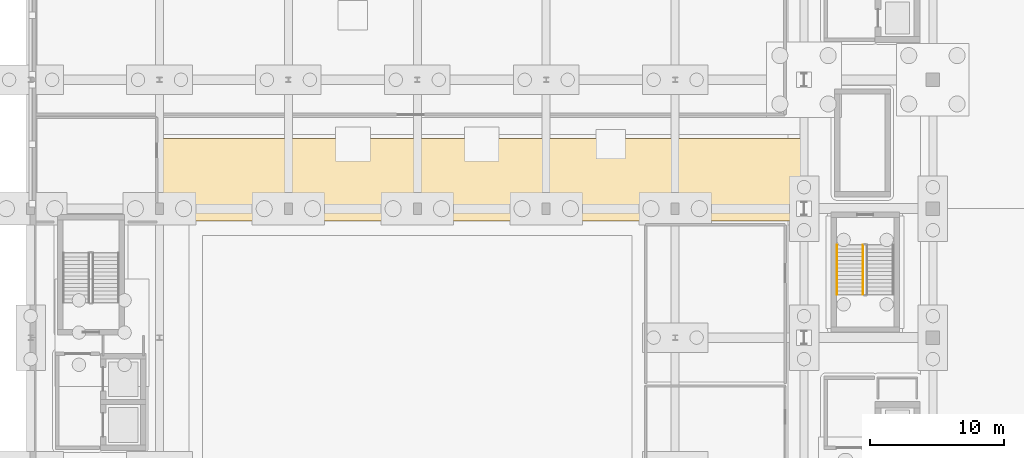
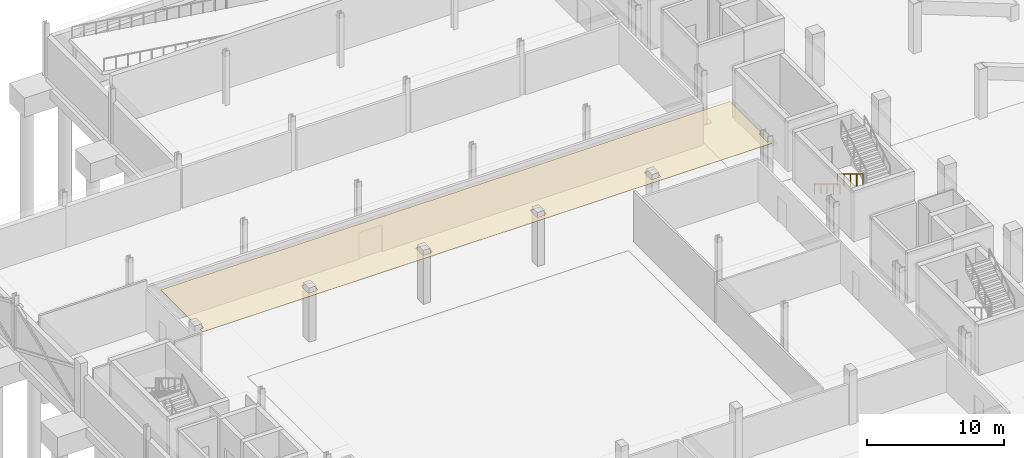
# One storey, part 48 of 67: 2 railings, 1 covering.
"""IFC4 building model written with IfcOpenShell, lengths in metres."""

import ifcopenshell
import ifcopenshell.guid

model = None  # the IFC model being written
_history = None  # IfcOwnerHistory: only IFC2X3 demands one
_inside = {}  # id of a spatial element -> (the spatial element, [elements in it])
_under = {}  # id of a project, library or spatial element -> (it, [spatial elements below it])
_declared = {}  # id of a project -> (the project, [libraries it declares])
_typed = {}  # id of a type object -> (the type object, [elements of that type])
_made_of = {}  # id of a material, layer set ... -> (it, [elements and type objects made of it])


def new_model(schema):
    """Start an empty IFC model of exactly this schema.

    Asked for "IFC4X3", IfcOpenShell would pick the latest addendum, in which some entities
    have other attributes; the version numbers below select the first issue.
    IFC2X3 requires an IfcOwnerHistory on every rooted entity: one is made here for all.
    """
    global model, _history
    if schema == "IFC4X3":
        model = ifcopenshell.file(schema_version=(4, 3, 0, 0))
    else:
        model = ifcopenshell.file(schema=schema)
    _inside.clear()
    _under.clear()
    _declared.clear()
    _typed.clear()
    _made_of.clear()
    _history = None
    if model.schema == "IFC2X3":
        org = make("IfcOrganization", Name="unknown")
        user = make(
            "IfcPersonAndOrganization",
            ThePerson=make("IfcPerson", FamilyName="unknown"),
            TheOrganization=org,
        )
        app = make(
            "IfcApplication",
            ApplicationDeveloper=org,
            Version="unknown",
            ApplicationFullName="unknown",
            ApplicationIdentifier="unknown",
        )
        _history = make(
            "IfcOwnerHistory",
            OwningUser=user,
            OwningApplication=app,
            ChangeAction="ADDED",
            CreationDate=0,
        )
    return model


def make(cls, **values):
    """One entity of the class cls with the attributes given. An attribute that is None is left unset."""
    return model.create_entity(
        cls, **{name: value for name, value in values.items() if value is not None}
    )


def rooted(cls, **values):
    """An entity with a GlobalId (a new one), such as an element, a storey or a relation."""
    return make(cls, GlobalId=ifcopenshell.guid.new(), OwnerHistory=_history, **values)


def si_unit(unit_type, name, prefix=None):
    """IfcSIUnit, for example si_unit("LENGTHUNIT", "METRE", prefix="MILLI")."""
    return make("IfcSIUnit", UnitType=unit_type, Prefix=prefix, Name=name)


def assignment(units):
    """IfcUnitAssignment: the units of a project."""
    return None if units is None else make("IfcUnitAssignment", Units=units)


def point(xyz):
    """IfcCartesianPoint."""
    return None if xyz is None else make("IfcCartesianPoint", Coordinates=xyz)


def direction(xyz):
    """IfcDirection."""
    return None if xyz is None else make("IfcDirection", DirectionRatios=xyz)


def frame(location, z_axis=None, x_axis=None):
    """IfcAxis2Placement3D, a coordinate frame: its origin and axes. An axis left out is left unset."""
    return make(
        "IfcAxis2Placement3D",
        Location=point(location),
        Axis=direction(z_axis),
        RefDirection=direction(x_axis),
    )


def frame_2d(location, x_axis=None):
    """IfcAxis2Placement2D, a coordinate frame in the plane: its origin and x axis."""
    return make(
        "IfcAxis2Placement2D", Location=point(location), RefDirection=direction(x_axis)
    )


def origin():
    """The frame at (0, 0, 0) with its axes left unset."""
    return frame((0.0, 0.0, 0.0))


def origin_2d():
    """The frame at (0, 0) in the plane with its x axis left unset."""
    return frame_2d((0.0, 0.0))


def place(relative_to, where):
    """IfcLocalPlacement: puts the frame where relative to a parent placement (None: the world)."""
    return make(
        "IfcLocalPlacement", PlacementRelTo=relative_to, RelativePlacement=where
    )


def context(
    kind, dimensions, precision=None, world=None, true_north=None, identifier=None
):
    """IfcGeometricRepresentationContext, for example the 3D "Model" context."""
    return make(
        "IfcGeometricRepresentationContext",
        ContextIdentifier=identifier,
        ContextType=kind,
        CoordinateSpaceDimension=dimensions,
        Precision=precision,
        WorldCoordinateSystem=world,
        TrueNorth=true_north,
    )


def subcontext(parent, identifier, kind, view, scale=None):
    """IfcGeometricRepresentationSubContext, for example "Body" below "Model"."""
    return make(
        "IfcGeometricRepresentationSubContext",
        ContextIdentifier=identifier,
        ContextType=kind,
        ParentContext=parent,
        TargetScale=scale,
        TargetView=view,
    )


def project(units=None, contexts=None):
    """IfcProject with its units and contexts."""
    return rooted(
        "IfcProject",
        Name="project",
        RepresentationContexts=contexts,
        UnitsInContext=assignment(units),
    )


def spatial(cls, under=None, at=None, **own):
    """A site, building, storey or space (cls), placed at a placement, below another one or the project."""
    s = rooted(cls, ObjectPlacement=at, **own)
    if under is not None:
        _under.setdefault(under.id(), (under, []))[1].append(s)
    return s


def polyline(points):
    """IfcPolyline through the points."""
    return make("IfcPolyline", Points=[point(p) for p in points])


def profile(cls, at=None, kind="AREA", **sizes):
    """A parametric profile (cls). Its sizes go by their IFC names, for example OverallWidth=200.0."""
    return make(cls, ProfileType=kind, Position=at, **sizes)


def circle(**sizes):
    """IfcCircleProfileDef."""
    return profile("IfcCircleProfileDef", **sizes)


def outline(outer, holes=None, kind="AREA"):
    """IfcArbitraryClosedProfileDef: a profile drawn as a closed curve; with holes, ...WithVoids."""
    if holes is None:
        return make("IfcArbitraryClosedProfileDef", ProfileType=kind, OuterCurve=outer)
    return make(
        "IfcArbitraryProfileDefWithVoids",
        ProfileType=kind,
        OuterCurve=outer,
        InnerCurves=holes,
    )


def extrude(swept, where, along, depth):
    """IfcExtrudedAreaSolid: the profile swept, set in the frame where, extruded along a direction by depth."""
    return make(
        "IfcExtrudedAreaSolid",
        SweptArea=swept,
        Position=where,
        ExtrudedDirection=direction(along),
        Depth=depth,
    )


def shape(context_of_items, identifier, shape_type, items):
    """IfcShapeRepresentation: the items that make up one representation, for example the "Body"."""
    return make(
        "IfcShapeRepresentation",
        ContextOfItems=context_of_items,
        RepresentationIdentifier=identifier,
        RepresentationType=shape_type,
        Items=items,
    )


def material(Name=None, Category=None):
    """IfcMaterial."""
    return make("IfcMaterial", Name=Name, Category=Category)


def layer(
    of_material, thickness, ventilated=None, Name=None, Category=None, Priority=None
):
    """IfcMaterialLayer: one layer of a wall or slab, of a material (None: an air gap)."""
    return make(
        "IfcMaterialLayer",
        Material=of_material,
        LayerThickness=thickness,
        IsVentilated=ventilated,
        Name=Name,
        Category=Category,
        Priority=Priority,
    )


def layer_set(layers, Name=None):
    """IfcMaterialLayerSet."""
    return make("IfcMaterialLayerSet", MaterialLayers=layers, LayerSetName=Name)


def made_of(thing, what):
    """Note that an element or type object is made of a material, layer set ...; save() writes the relation."""
    if what is not None:
        _made_of.setdefault(what.id(), (what, []))[1].append(thing)
    return thing


def type_object(cls, material=None, **own):
    """A type object (cls), such as IfcWallType, which elements share."""
    return made_of(rooted(cls, **own), material)


def element(
    cls,
    number,
    at=None,
    inside=None,
    cuts=None,
    type_object=None,
    material=None,
    context=None,
    identifier="Body",
    shape_type=None,
    held_by="IfcProductDefinitionShape",
    body=None,
    shapes=None,
    **own,
):
    """One element of the class cls, such as IfcWall. Its Tag is "e" and its number.

    at: its placement. inside: the storey or other place that contains it. cuts: it is an
    opening in that element (IfcRelVoidsElement). A single representation is given by context,
    identifier, shape_type and body (its items); several are given by shapes. held_by: the class
    of the entity that holds the representations. save() writes the other relations.
    """
    e = rooted(cls, Tag="e%d" % number, ObjectPlacement=at, **own)
    if body is not None:
        shapes = [shape(context, identifier, shape_type, body)]
    if shapes is not None:
        e.Representation = make(held_by, Representations=shapes)
    if inside is not None:
        _inside.setdefault(inside.id(), (inside, []))[1].append(e)
    if cuts is not None:
        rooted(
            "IfcRelVoidsElement", RelatingBuildingElement=cuts, RelatedOpeningElement=e
        )
    if type_object is not None:
        _typed.setdefault(type_object.id(), (type_object, []))[1].append(e)
    return made_of(e, material)


def aggregate(whole, parts):
    """IfcRelAggregates: a whole, such as a stair, and the parts it consists of."""
    return rooted("IfcRelAggregates", RelatingObject=whole, RelatedObjects=parts)


def save(model, path):
    """Write the relations noted so far, then the file.

    IfcRelAggregates (storeys below a building ...), IfcRelContainedInSpatialStructure (elements
    in a storey), IfcRelDefinesByType, IfcRelAssociatesMaterial and IfcRelDeclares: one each for
    every whole, place, type object, material and project.
    """
    for whole, parts in _under.values():
        aggregate(whole, parts)
    for where, things in _inside.values():
        rooted(
            "IfcRelContainedInSpatialStructure",
            RelatedElements=things,
            RelatingStructure=where,
        )
    for kind, things in _typed.values():
        rooted("IfcRelDefinesByType", RelatedObjects=things, RelatingType=kind)
    for what, things in _made_of.values():
        rooted("IfcRelAssociatesMaterial", RelatedObjects=things, RelatingMaterial=what)
    for by, libraries in _declared.values():
        rooted("IfcRelDeclares", RelatingContext=by, RelatedDefinitions=libraries)
    model.write(path)


model = new_model("IFC4")

# Units and contexts
model_context = context("Model", 3, precision=1e-05, world=origin(), true_north=direction((0.0, 1.0)))
body_context = subcontext(model_context, "Body", "Model", "MODEL_VIEW")
ifc_project = project(units=[si_unit("LENGTHUNIT", "METRE"), si_unit("AREAUNIT", "SQUARE_METRE"), si_unit("VOLUMEUNIT", "CUBIC_METRE"), si_unit("PLANEANGLEUNIT", "RADIAN"), si_unit("MASSUNIT", "GRAM", prefix="KILO")], contexts=[model_context])

# Site, building, storey
site_placement = place(None, origin())
site = spatial("IfcSite", under=ifc_project, at=site_placement, CompositionType="ELEMENT")
building_placement = place(site_placement, origin())
building = spatial("IfcBuilding", under=site, at=building_placement, Name="Caelomonte Colonnade Arena", CompositionType="ELEMENT")
storey_placement = place(building_placement, frame((0.0, 0.0, -4.800048828125)))
storey = spatial("IfcBuildingStorey", under=building, at=storey_placement, Name="B1", CompositionType="ELEMENT", Elevation=-4.800048828125)

# Covering
ifc_material_1 = material(Name="Perforated acoustic mineral-fibre ceiling")
ifc_layer = layer(ifc_material_1, 0.0400390625)
ifc_layer_set = layer_set([ifc_layer], Name="Perforated acoustic mineral-fibre ceiling")
covering_type = type_object("IfcCoveringType", Name="INT-CV-CEIL1", PredefinedType="CEILING", material=ifc_layer_set)
covering_placement = place(storey_placement, frame((0.0, 0.0, 4.420166015625)))
element("IfcCovering", 1, at=covering_placement, inside=storey, type_object=covering_type, Name="B1 Athlete Wing Concourse acoustic ceiling", PredefinedType="CEILING", context=body_context, shape_type="SweptSolid", body=[
    extrude(outline(polyline([(57.52001953125, 72.419921875), (9.679931640625, 72.419921875), (9.679931640625, 67.719970703125), (9.9150390625, 67.719970703125), (9.9228515625, 67.719482421875), (9.9306640625, 67.718505859375), (9.938232421875, 67.716552734375), (9.945556640625, 67.7138671875), (9.95263671875, 67.710693359375), (9.95947265625, 67.70654296875), (9.9658203125, 67.701904296875), (9.9716796875, 67.696533203125), (9.976806640625, 67.69091796875), (9.9814453125, 67.684326171875), (9.985595703125, 67.677734375), (9.989013671875, 67.670654296875), (9.99169921875, 67.6630859375), (9.993408203125, 67.655517578125), (9.99462890625, 67.647705078125), (9.9951171875, 67.639892578125), (9.9951171875, 66.760009765625), (9.99462890625, 66.752197265625), (9.993408203125, 66.744384765625), (9.99169921875, 66.73681640625), (9.989013671875, 66.7294921875), (9.985595703125, 66.722412109375), (9.9814453125, 66.715576171875), (9.976806640625, 66.709228515625), (9.9716796875, 66.703369140625), (9.9658203125, 66.6982421875), (9.95947265625, 66.693603515625), (9.95263671875, 66.689453125), (9.945556640625, 66.68603515625), (9.938232421875, 66.683349609375), (9.9306640625, 66.681396484375), (9.9228515625, 66.680419921875), (9.9150390625, 66.679931640625), (9.679931640625, 66.679931640625), (9.679931640625, 66.280029296875), (57.52001953125, 66.280029296875), (57.52001953125, 66.584228515625), (57.37158203125, 66.584228515625), (57.36376953125, 66.584716796875), (57.35595703125, 66.585693359375), (57.348388671875, 66.587646484375), (57.3408203125, 66.59033203125), (57.333740234375, 66.59375), (57.3271484375, 66.597900390625), (57.32080078125, 66.6025390625), (57.31494140625, 66.607666015625), (57.309814453125, 66.613525390625), (57.304931640625, 66.619873046875), (57.30078125, 66.626708984375), (57.297607421875, 66.6337890625), (57.294921875, 66.64111328125), (57.29296875, 66.648681640625), (57.2919921875, 66.656494140625), (57.29150390625, 66.664306640625), (57.29150390625, 67.735595703125), (57.2919921875, 67.743408203125), (57.29296875, 67.751220703125), (57.294921875, 67.7587890625), (57.297607421875, 67.766357421875), (57.30078125, 67.7734375), (57.304931640625, 67.780029296875), (57.309814453125, 67.78662109375), (57.31494140625, 67.792236328125), (57.32080078125, 67.797607421875), (57.3271484375, 67.80224609375), (57.333740234375, 67.806396484375), (57.3408203125, 67.8095703125), (57.348388671875, 67.812255859375), (57.35595703125, 67.814208984375), (57.36376953125, 67.815185546875), (57.37158203125, 67.815673828125), (57.52001953125, 67.815673828125), (57.52001953125, 72.419921875)]), holes=[polyline([(47.60546875, 66.752197265625), (47.60498046875, 66.760009765625), (47.60498046875, 67.639892578125), (47.60546875, 67.647705078125), (47.6064453125, 67.655517578125), (47.6083984375, 67.6630859375), (47.611083984375, 67.670654296875), (47.614501953125, 67.677734375), (47.618408203125, 67.684326171875), (47.623291015625, 67.69091796875), (47.62841796875, 67.696533203125), (47.63427734375, 67.701904296875), (47.640625, 67.70654296875), (47.647216796875, 67.710693359375), (47.654296875, 67.7138671875), (47.661865234375, 67.716552734375), (47.66943359375, 67.718505859375), (47.67724609375, 67.719482421875), (47.68505859375, 67.719970703125), (48.31494140625, 67.719970703125), (48.32275390625, 67.719482421875), (48.33056640625, 67.718505859375), (48.338134765625, 67.716552734375), (48.345703125, 67.7138671875), (48.352783203125, 67.710693359375), (48.359375, 67.70654296875), (48.36572265625, 67.701904296875), (48.37158203125, 67.696533203125), (48.376708984375, 67.69091796875), (48.381591796875, 67.684326171875), (48.385498046875, 67.677734375), (48.388916015625, 67.670654296875), (48.3916015625, 67.6630859375), (48.3935546875, 67.655517578125), (48.39453125, 67.647705078125), (48.39501953125, 67.639892578125), (48.39501953125, 66.760009765625), (48.39453125, 66.752197265625), (48.3935546875, 66.744384765625), (48.3916015625, 66.73681640625), (48.388916015625, 66.7294921875), (48.385498046875, 66.722412109375), (48.381591796875, 66.715576171875), (48.376708984375, 66.709228515625), (48.37158203125, 66.703369140625), (48.36572265625, 66.6982421875), (48.359375, 66.693603515625), (48.352783203125, 66.689453125), (48.345703125, 66.68603515625), (48.338134765625, 66.683349609375), (48.33056640625, 66.681396484375), (48.32275390625, 66.680419921875), (48.31494140625, 66.679931640625), (47.68505859375, 66.679931640625), (47.67724609375, 66.680419921875), (47.66943359375, 66.681396484375), (47.661865234375, 66.683349609375), (47.654296875, 66.68603515625), (47.647216796875, 66.689453125), (47.640625, 66.693603515625), (47.63427734375, 66.6982421875), (47.62841796875, 66.703369140625), (47.623291015625, 66.709228515625), (47.618408203125, 66.715576171875), (47.614501953125, 66.722412109375), (47.611083984375, 66.7294921875), (47.6083984375, 66.73681640625), (47.6064453125, 66.744384765625), (47.60546875, 66.752197265625)]), polyline([(38.00537109375, 66.752197265625), (38.0048828125, 66.760009765625), (38.0048828125, 67.639892578125), (38.00537109375, 67.647705078125), (38.006591796875, 67.655517578125), (38.00830078125, 67.6630859375), (38.010986328125, 67.670654296875), (38.014404296875, 67.677734375), (38.0185546875, 67.684326171875), (38.023193359375, 67.69091796875), (38.0283203125, 67.696533203125), (38.0341796875, 67.701904296875), (38.04052734375, 67.70654296875), (38.04736328125, 67.710693359375), (38.054443359375, 67.7138671875), (38.061767578125, 67.716552734375), (38.0693359375, 67.718505859375), (38.0771484375, 67.719482421875), (38.0849609375, 67.719970703125), (38.715087890625, 67.719970703125), (38.722900390625, 67.719482421875), (38.730712890625, 67.718505859375), (38.73828125, 67.716552734375), (38.74560546875, 67.7138671875), (38.752685546875, 67.710693359375), (38.759521484375, 67.70654296875), (38.765869140625, 67.701904296875), (38.771484375, 67.696533203125), (38.77685546875, 67.69091796875), (38.781494140625, 67.684326171875), (38.78564453125, 67.677734375), (38.788818359375, 67.670654296875), (38.79150390625, 67.6630859375), (38.79345703125, 67.655517578125), (38.794677734375, 67.647705078125), (38.794921875, 67.639892578125), (38.794921875, 66.760009765625), (38.794677734375, 66.752197265625), (38.79345703125, 66.744384765625), (38.79150390625, 66.73681640625), (38.788818359375, 66.7294921875), (38.78564453125, 66.722412109375), (38.781494140625, 66.715576171875), (38.77685546875, 66.709228515625), (38.771484375, 66.703369140625), (38.765869140625, 66.6982421875), (38.759521484375, 66.693603515625), (38.752685546875, 66.689453125), (38.74560546875, 66.68603515625), (38.73828125, 66.683349609375), (38.730712890625, 66.681396484375), (38.722900390625, 66.680419921875), (38.715087890625, 66.679931640625), (38.0849609375, 66.679931640625), (38.0771484375, 66.680419921875), (38.0693359375, 66.681396484375), (38.061767578125, 66.683349609375), (38.054443359375, 66.68603515625), (38.04736328125, 66.689453125), (38.04052734375, 66.693603515625), (38.0341796875, 66.6982421875), (38.0283203125, 66.703369140625), (38.023193359375, 66.709228515625), (38.0185546875, 66.715576171875), (38.014404296875, 66.722412109375), (38.010986328125, 66.7294921875), (38.00830078125, 66.73681640625), (38.006591796875, 66.744384765625), (38.00537109375, 66.752197265625)]), polyline([(29.122802734375, 66.680419921875), (29.114990234375, 66.679931640625), (28.485107421875, 66.679931640625), (28.477294921875, 66.680419921875), (28.469482421875, 66.681396484375), (28.4619140625, 66.683349609375), (28.454345703125, 66.68603515625), (28.447265625, 66.689453125), (28.440673828125, 66.693603515625), (28.43408203125, 66.6982421875), (28.428466796875, 66.703369140625), (28.423095703125, 66.709228515625), (28.41845703125, 66.715576171875), (28.414306640625, 66.722412109375), (28.4111328125, 66.7294921875), (28.408447265625, 66.73681640625), (28.406494140625, 66.744384765625), (28.405517578125, 66.752197265625), (28.405029296875, 66.760009765625), (28.405029296875, 67.639892578125), (28.405517578125, 67.647705078125), (28.406494140625, 67.655517578125), (28.408447265625, 67.6630859375), (28.4111328125, 67.670654296875), (28.414306640625, 67.677734375), (28.41845703125, 67.684326171875), (28.423095703125, 67.69091796875), (28.428466796875, 67.696533203125), (28.43408203125, 67.701904296875), (28.440673828125, 67.70654296875), (28.447265625, 67.710693359375), (28.454345703125, 67.7138671875), (28.4619140625, 67.716552734375), (28.469482421875, 67.718505859375), (28.477294921875, 67.719482421875), (28.485107421875, 67.719970703125), (29.114990234375, 67.719970703125), (29.122802734375, 67.719482421875), (29.130615234375, 67.718505859375), (29.13818359375, 67.716552734375), (29.1455078125, 67.7138671875), (29.152587890625, 67.710693359375), (29.159423828125, 67.70654296875), (29.165771484375, 67.701904296875), (29.171630859375, 67.696533203125), (29.1767578125, 67.69091796875), (29.181396484375, 67.684326171875), (29.185546875, 67.677734375), (29.18896484375, 67.670654296875), (29.191650390625, 67.6630859375), (29.193603515625, 67.655517578125), (29.194580078125, 67.647705078125), (29.195068359375, 67.639892578125), (29.195068359375, 66.760009765625), (29.194580078125, 66.752197265625), (29.193603515625, 66.744384765625), (29.191650390625, 66.73681640625), (29.18896484375, 66.7294921875), (29.185546875, 66.722412109375), (29.181396484375, 66.715576171875), (29.1767578125, 66.709228515625), (29.171630859375, 66.703369140625), (29.165771484375, 66.6982421875), (29.159423828125, 66.693603515625), (29.152587890625, 66.689453125), (29.1455078125, 66.68603515625), (29.13818359375, 66.683349609375), (29.130615234375, 66.681396484375), (29.122802734375, 66.680419921875)]), polyline([(18.805419921875, 66.752197265625), (18.804931640625, 66.760009765625), (18.804931640625, 67.639892578125), (18.805419921875, 67.647705078125), (18.806396484375, 67.655517578125), (18.808349609375, 67.6630859375), (18.81103515625, 67.670654296875), (18.814453125, 67.677734375), (18.818603515625, 67.684326171875), (18.8232421875, 67.69091796875), (18.828369140625, 67.696533203125), (18.834228515625, 67.701904296875), (18.840576171875, 67.70654296875), (18.847412109375, 67.710693359375), (18.8544921875, 67.7138671875), (18.86181640625, 67.716552734375), (18.869384765625, 67.718505859375), (18.877197265625, 67.719482421875), (18.885009765625, 67.719970703125), (19.514892578125, 67.719970703125), (19.522705078125, 67.719482421875), (19.530517578125, 67.718505859375), (19.5380859375, 67.716552734375), (19.545654296875, 67.7138671875), (19.552734375, 67.710693359375), (19.559326171875, 67.70654296875), (19.56591796875, 67.701904296875), (19.571533203125, 67.696533203125), (19.576904296875, 67.69091796875), (19.58154296875, 67.684326171875), (19.585693359375, 67.677734375), (19.5888671875, 67.670654296875), (19.591552734375, 67.6630859375), (19.593505859375, 67.655517578125), (19.594482421875, 67.647705078125), (19.594970703125, 67.639892578125), (19.594970703125, 66.760009765625), (19.594482421875, 66.752197265625), (19.593505859375, 66.744384765625), (19.591552734375, 66.73681640625), (19.5888671875, 66.7294921875), (19.585693359375, 66.722412109375), (19.58154296875, 66.715576171875), (19.576904296875, 66.709228515625), (19.571533203125, 66.703369140625), (19.56591796875, 66.6982421875), (19.559326171875, 66.693603515625), (19.552734375, 66.689453125), (19.545654296875, 66.68603515625), (19.5380859375, 66.683349609375), (19.530517578125, 66.681396484375), (19.522705078125, 66.680419921875), (19.514892578125, 66.679931640625), (18.885009765625, 66.679931640625), (18.877197265625, 66.680419921875), (18.869384765625, 66.681396484375), (18.86181640625, 66.683349609375), (18.8544921875, 66.68603515625), (18.847412109375, 66.689453125), (18.840576171875, 66.693603515625), (18.834228515625, 66.6982421875), (18.828369140625, 66.703369140625), (18.8232421875, 66.709228515625), (18.818603515625, 66.715576171875), (18.814453125, 66.722412109375), (18.81103515625, 66.7294921875), (18.808349609375, 66.73681640625), (18.806396484375, 66.744384765625), (18.805419921875, 66.752197265625)])]), origin(), (0.0, 0.0, 1.0), 0.039794921875),
])

# Railings
ifc_material_2 = material(Name="Painted galvanized steel stair guard", Category="steel")
railing_type_1 = type_object("IfcRailingType", Name="INT-RL-GRD", PredefinedType="GUARDRAIL", material=ifc_material_2)
railing_1_placement = place(storey_placement, frame((62.0, 64.5, 0.17138671875)))
element("IfcRailing", 2, at=railing_1_placement, inside=storey, type_object=railing_type_1, Name="B1 ST-09 stair guard 1", PredefinedType="GUARDRAIL", context=body_context, shape_type="SweptSolid", body=[
    extrude(circle(Radius=0.02392578125, at=origin_2d()), frame((0.0, 0.0, 1.076171875), z_axis=(0.0, -0.856909459561, 0.515466951525), x_axis=(1.0, 0.0, 0.0)), (0.0, 0.0, 1.0), 4.32373046875),
    extrude(circle(Radius=0.02099609375, at=origin_2d()), origin(), (0.0, 0.0, 1.0), 1.048095703125),
    extrude(circle(Radius=0.02099609375, at=origin_2d()), frame((0.0, -0.92626953125, 0.55712890625)), (0.0, 0.0, 1.0), 1.048095703125),
    extrude(circle(Radius=0.02099609375, at=origin_2d()), frame((0.0, -1.8525390625, 1.1142578125)), (0.0, 0.0, 1.0), 1.048095703125),
    extrude(circle(Radius=0.02099609375, at=origin_2d()), frame((0.0, -2.77880859375, 1.671630859375)), (0.0, 0.0, 1.0), 1.048095703125),
    extrude(circle(Radius=0.02099609375, at=origin_2d()), frame((0.0, -3.705078125, 2.228759765625)), (0.0, 0.0, 1.0), 1.048095703125),
])
ifc_material_3 = material(Name="Brushed stainless steel stair handrail", Category="steel")
railing_type_2 = type_object("IfcRailingType", Name="INT-RL-HR", PredefinedType="HANDRAIL", material=ifc_material_3)
railing_2_placement = place(storey_placement, frame((60.050048828125, 64.5, 0.17138671875)))
element("IfcRailing", 3, at=railing_2_placement, inside=storey, type_object=railing_type_2, Name="B1 ST-09 stair handrail 1", PredefinedType="HANDRAIL", context=body_context, shape_type="SweptSolid", body=[
    extrude(circle(Radius=0.02392578125, at=origin_2d()), frame((0.0, 0.0, 0.8759765625), z_axis=(0.0, -0.856909459561, 0.515466951525), x_axis=(1.0, 0.0, 0.0)), (0.0, 0.0, 1.0), 4.32373046875),
    extrude(circle(Radius=0.02099609375, at=origin_2d()), origin(), (0.0, 0.0, 1.0), 0.847900390625),
    extrude(circle(Radius=0.02099609375, at=origin_2d()), frame((0.0, -0.92626953125, 0.55712890625)), (0.0, 0.0, 1.0), 0.847900390625),
    extrude(circle(Radius=0.02099609375, at=origin_2d()), frame((0.0, -1.8525390625, 1.1142578125)), (0.0, 0.0, 1.0), 0.847900390625),
    extrude(circle(Radius=0.02099609375, at=origin_2d()), frame((0.0, -2.77880859375, 1.671630859375)), (0.0, 0.0, 1.0), 0.847900390625),
    extrude(circle(Radius=0.02099609375, at=origin_2d()), frame((0.0, -3.705078125, 2.228759765625)), (0.0, 0.0, 1.0), 0.847900390625),
])

save(model, "model.ifc")
